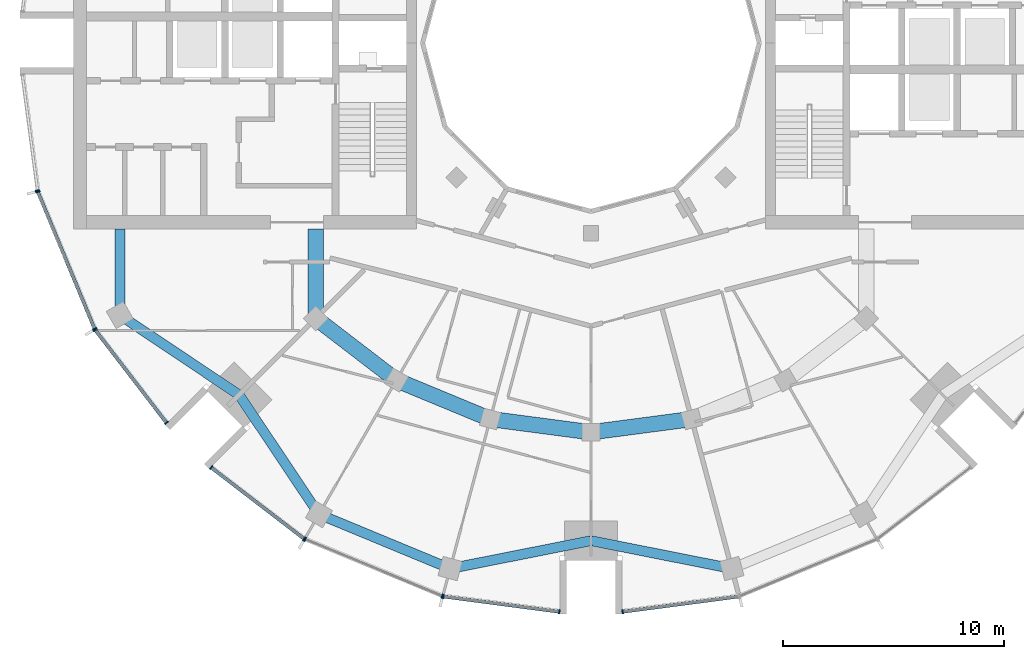
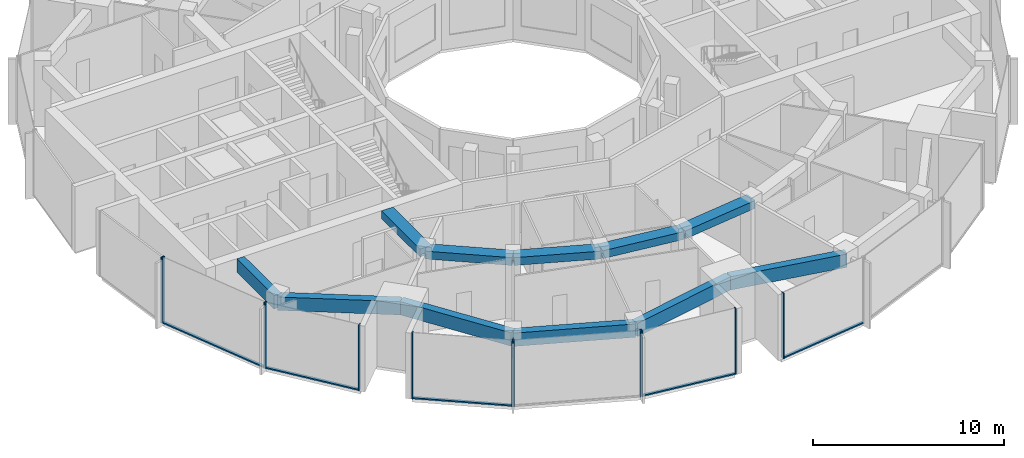
# One storey, part 2 of 15: 17 members, 11 beams, 7 elements without a shape of their own.
"""IFC4 building model written with IfcOpenShell, lengths in metres."""

from ifc_helpers import new_model, si_unit, direction, frame, origin, origin_2d, place, context, subcontext, project, spatial, rectangle, extrude, material, layer, layer_set, material_profile, profile_set, type_object, element, aggregate, save


model = new_model("IFC4")

# Units and contexts
model_context = context("Model", 3, precision=1e-05, world=origin(), true_north=direction((0.0, 1.0)))
body_context = subcontext(model_context, "Body", "Model", "MODEL_VIEW")
ifc_project = project(units=[si_unit("LENGTHUNIT", "METRE"), si_unit("AREAUNIT", "SQUARE_METRE"), si_unit("VOLUMEUNIT", "CUBIC_METRE"), si_unit("PLANEANGLEUNIT", "RADIAN"), si_unit("MASSUNIT", "GRAM", prefix="KILO")], contexts=[model_context])

# Site, building, storey
site_placement = place(None, origin())
site = spatial("IfcSite", under=ifc_project, at=site_placement, CompositionType="ELEMENT")
building_placement = place(site_placement, origin())
building = spatial("IfcBuilding", under=site, at=building_placement, Name="Torre Brocal", CompositionType="ELEMENT")
storey_placement = place(building_placement, frame((0.0, 0.0, 258.300048828125)))
storey = spatial("IfcBuildingStorey", under=building, at=storey_placement, Name="L59", CompositionType="ELEMENT", Elevation=258.300048828125)

# Curtain wall, members
ifc_material_1 = material(Name="Aluminium and glass", Category="aluminium")
ifc_layer_1 = layer(ifc_material_1, 0.199951171875)
ifc_layer_set_1 = layer_set([ifc_layer_1], Name="Aluminium and glass")
curtain_wall_type_1 = type_object("IfcCurtainWallType", Name="CW-1 CURTAIN WALL 4200 HIGH", PredefinedType="NOTDEFINED", material=ifc_layer_set_1)
curtain_wall_1_placement = place(storey_placement, origin())
curtain_wall_1 = element("IfcCurtainWall", 1, at=curtain_wall_1_placement, inside=storey, type_object=curtain_wall_type_1, Name="CW-1 RUN 14", PredefinedType="NOTDEFINED")
ifc_material_2 = material(Name="Aluminium, dark anodised", Category="aluminium")
ifc_material_profile_1 = material_profile(ifc_material_2, rectangle(XDim=0.199951171875, YDim=0.06005859375, at=origin_2d()), Name="CW-1 MULLION 60X200")
ifc_profile_set_1 = profile_set([ifc_material_profile_1], Name="Aluminium, dark anodised")
member_type_1 = type_object("IfcMemberType", Name="CW-1 MULLION 60X200", PredefinedType="MULLION", material=ifc_profile_set_1)
member_1_placement = place(storey_placement, frame((54.994873046875, 68.26904296875, 0.0), z_axis=(0.0, 0.0, 1.0), x_axis=(0.923879532525, 0.382683432333, 0.0)))
member_1 = element("IfcMember", 2, at=member_1_placement, type_object=member_type_1, Name="CW1-5 mullion 1", PredefinedType="MULLION", context=body_context, shape_type="SweptSolid", body=[
    extrude(rectangle(XDim=0.199951171875, YDim=0.06005859375, at=origin_2d()), origin(), (0.0, 0.0, 1.0), 4.199951171875),
])
member_2_placement = place(storey_placement, frame((57.559326171875, 62.078125, 0.0), z_axis=(0.0, 0.0, 1.0), x_axis=(0.923879532525, 0.382683432333, 0.0)))
member_2 = element("IfcMember", 3, at=member_2_placement, type_object=member_type_1, Name="CW1-5 mullion 2", PredefinedType="MULLION", context=body_context, shape_type="SweptSolid", body=[
    extrude(rectangle(XDim=0.199951171875, YDim=0.06005859375, at=origin_2d()), origin(), (0.0, 0.0, 1.0), 4.199951171875),
])

curtain_wall_2_placement = place(storey_placement, origin())
curtain_wall_2 = element("IfcCurtainWall", 4, at=curtain_wall_2_placement, inside=storey, type_object=curtain_wall_type_1, Name="CW-1 RUN 15", PredefinedType="NOTDEFINED")
member_3_placement = place(storey_placement, frame((57.5888671875, 62.026611328125, 0.0), z_axis=(0.0, 0.0, 1.0), x_axis=(0.793353340259, 0.60876142905, 0.0)))
member_3 = element("IfcMember", 5, at=member_3_placement, type_object=member_type_1, Name="CW1-5 mullion 1", PredefinedType="MULLION", context=body_context, shape_type="SweptSolid", body=[
    extrude(rectangle(XDim=0.199951171875, YDim=0.06005859375, at=origin_2d()), origin(), (0.0, 0.0, 1.0), 4.199951171875),
])
member_4_placement = place(storey_placement, frame((60.80859375, 57.83056640625, 0.0), z_axis=(0.0, 0.0, 1.0), x_axis=(0.793353340259, 0.60876142905, 0.0)))
member_4 = element("IfcMember", 6, at=member_4_placement, type_object=member_type_1, Name="CW1-5 mullion 2", PredefinedType="MULLION", context=body_context, shape_type="SweptSolid", body=[
    extrude(rectangle(XDim=0.199951171875, YDim=0.06005859375, at=origin_2d()), origin(), (0.0, 0.0, 1.0), 4.199951171875),
])

curtain_wall_3_placement = place(storey_placement, origin())
curtain_wall_3 = element("IfcCurtainWall", 7, at=curtain_wall_3_placement, inside=storey, type_object=curtain_wall_type_1, Name="CW-1 RUN 16", PredefinedType="NOTDEFINED")
member_5_placement = place(storey_placement, frame((62.83056640625, 55.80859375, 0.0), z_axis=(0.0, 0.0, 1.0), x_axis=(0.60876142905, 0.793353340259, 0.0)))
member_5 = element("IfcMember", 8, at=member_5_placement, type_object=member_type_1, Name="CW1-5 mullion 1", PredefinedType="MULLION", context=body_context, shape_type="SweptSolid", body=[
    extrude(rectangle(XDim=0.199951171875, YDim=0.06005859375, at=origin_2d()), origin(), (0.0, 0.0, 1.0), 4.199951171875),
])
member_6_placement = place(storey_placement, frame((67.026611328125, 52.5888671875, 0.0), z_axis=(0.0, 0.0, 1.0), x_axis=(0.60876142905, 0.793353340259, 0.0)))
member_6 = element("IfcMember", 9, at=member_6_placement, type_object=member_type_1, Name="CW1-5 mullion 2", PredefinedType="MULLION", context=body_context, shape_type="SweptSolid", body=[
    extrude(rectangle(XDim=0.199951171875, YDim=0.06005859375, at=origin_2d()), origin(), (0.0, 0.0, 1.0), 4.199951171875),
])

curtain_wall_4_placement = place(storey_placement, origin())
curtain_wall_4 = element("IfcCurtainWall", 10, at=curtain_wall_4_placement, inside=storey, type_object=curtain_wall_type_1, Name="CW-1 RUN 17", PredefinedType="NOTDEFINED")
member_7_placement = place(storey_placement, frame((67.078125, 52.559326171875, 0.0), z_axis=(0.0, 0.0, 1.0), x_axis=(0.382683432333, 0.923879532525, 0.0)))
member_7 = element("IfcMember", 11, at=member_7_placement, type_object=member_type_1, Name="CW1-5 mullion 1", PredefinedType="MULLION", context=body_context, shape_type="SweptSolid", body=[
    extrude(rectangle(XDim=0.199951171875, YDim=0.06005859375, at=origin_2d()), origin(), (0.0, 0.0, 1.0), 4.199951171875),
])
member_8_placement = place(storey_placement, frame((73.26904296875, 49.994873046875, 0.0), z_axis=(0.0, 0.0, 1.0), x_axis=(0.382683432333, 0.923879532525, 0.0)))
member_8 = element("IfcMember", 12, at=member_8_placement, type_object=member_type_1, Name="CW1-5 mullion 2", PredefinedType="MULLION", context=body_context, shape_type="SweptSolid", body=[
    extrude(rectangle(XDim=0.199951171875, YDim=0.06005859375, at=origin_2d()), origin(), (0.0, 0.0, 1.0), 4.199951171875),
])
aggregate(curtain_wall_4, [member_7, member_8])

curtain_wall_5_placement = place(storey_placement, origin())
curtain_wall_5 = element("IfcCurtainWall", 13, at=curtain_wall_5_placement, inside=storey, type_object=curtain_wall_type_1, Name="CW-1 RUN 18", PredefinedType="NOTDEFINED")
member_9_placement = place(storey_placement, frame((73.32666015625, 49.9794921875, 0.0), z_axis=(0.0, 0.0, 1.0), x_axis=(0.13052619222, 0.991444861374, 0.0)))
member_9 = element("IfcMember", 14, at=member_9_placement, type_object=member_type_1, Name="CW1-5 mullion 1", PredefinedType="MULLION", context=body_context, shape_type="SweptSolid", body=[
    extrude(rectangle(XDim=0.199951171875, YDim=0.06005859375, at=origin_2d()), origin(), (0.0, 0.0, 1.0), 4.199951171875),
])
member_10_placement = place(storey_placement, frame((78.5703125, 49.2890625, 0.0), z_axis=(0.0, 0.0, 1.0), x_axis=(0.13052619222, 0.991444861374, 0.0)))
member_10 = element("IfcMember", 15, at=member_10_placement, type_object=member_type_1, Name="CW1-5 mullion 2", PredefinedType="MULLION", context=body_context, shape_type="SweptSolid", body=[
    extrude(rectangle(XDim=0.199951171875, YDim=0.06005859375, at=origin_2d()), origin(), (0.0, 0.0, 1.0), 4.199951171875),
])

# Curtain wall, member
curtain_wall_6_placement = place(storey_placement, origin())
curtain_wall_6 = element("IfcCurtainWall", 16, at=curtain_wall_6_placement, inside=storey, type_object=curtain_wall_type_1, Name="CW-1 RUN 19", PredefinedType="NOTDEFINED")
member_11_placement = place(storey_placement, frame((81.4296875, 49.2890625, 0.0), z_axis=(0.0, 0.0, 1.0), x_axis=(-0.13052619222, 0.991444861374, 0.0)))
member_11 = element("IfcMember", 17, at=member_11_placement, type_object=member_type_1, Name="CW1-5 mullion 1", PredefinedType="MULLION", context=body_context, shape_type="SweptSolid", body=[
    extrude(rectangle(XDim=0.199951171875, YDim=0.06005859375, at=origin_2d()), origin(), (0.0, 0.0, 1.0), 4.199951171875),
])

# Member
ifc_material_3 = material(Name="Aluminium, dark anodised", Category="aluminium")
ifc_material_profile_2 = material_profile(ifc_material_3, rectangle(XDim=0.159912109375, YDim=0.080078125, at=origin_2d()), Name="CW-1 TRANSOM 160X80")
ifc_profile_set_2 = profile_set([ifc_material_profile_2], Name="Aluminium, dark anodised")
member_type_2 = type_object("IfcMemberType", Name="CW-1 TRANSOM 160X80", PredefinedType="USERDEFINED", material=ifc_profile_set_2)
member_12_placement = place(storey_placement, frame((55.00634765625, 68.241455078125, 0.0400390625), z_axis=(0.38266457234, -0.923887344364, 0.0), x_axis=(0.923887344364, 0.38266457234, 0.0)))
member_12 = element("IfcMember", 18, at=member_12_placement, type_object=member_type_2, Name="CW1-5 transom 1.1", ObjectType="TRANSOM", PredefinedType="USERDEFINED", context=body_context, shape_type="SweptSolid", body=[
    extrude(rectangle(XDim=0.159912109375, YDim=0.080078125, at=origin_2d()), origin(), (0.0, 0.0, 1.0), 6.640869140625),
])

aggregate(curtain_wall_1, [member_1, member_2, member_12])

member_13_placement = place(storey_placement, frame((57.607177734375, 62.0029296875, 0.0400390625), z_axis=(0.60874908096, -0.79336281513, 0.0), x_axis=(0.79336281513, 0.60874908096, 0.0)))
member_13 = element("IfcMember", 19, at=member_13_placement, type_object=member_type_2, Name="CW1-5 transom 1.1", ObjectType="TRANSOM", PredefinedType="USERDEFINED", context=body_context, shape_type="SweptSolid", body=[
    extrude(rectangle(XDim=0.159912109375, YDim=0.080078125, at=origin_2d()), origin(), (0.0, 0.0, 1.0), 5.22900390625),
])

aggregate(curtain_wall_2, [member_3, member_4, member_13])

member_14_placement = place(storey_placement, frame((62.8544921875, 55.790283203125, 0.0400390625), z_axis=(0.79336281513, -0.60874908096, 0.0), x_axis=(0.60874908096, 0.79336281513, 0.0)))
member_14 = element("IfcMember", 20, at=member_14_placement, type_object=member_type_2, Name="CW1-5 transom 1.1", ObjectType="TRANSOM", PredefinedType="USERDEFINED", context=body_context, shape_type="SweptSolid", body=[
    extrude(rectangle(XDim=0.159912109375, YDim=0.080078125, at=origin_2d()), origin(), (0.0, 0.0, 1.0), 5.22900390625),
])

aggregate(curtain_wall_3, [member_5, member_6, member_14])

member_15_placement = place(storey_placement, frame((73.356201171875, 49.9755859375, 0.0400390625), z_axis=(0.991442690863, -0.130542677827, 0.0), x_axis=(0.130542677827, 0.991442690863, 0.0)))
member_15 = element("IfcMember", 21, at=member_15_placement, type_object=member_type_2, Name="CW1-5 transom 1.1", ObjectType="TRANSOM", PredefinedType="USERDEFINED", context=body_context, shape_type="SweptSolid", body=[
    extrude(rectangle(XDim=0.159912109375, YDim=0.080078125, at=origin_2d()), origin(), (0.0, 0.0, 1.0), 5.22900390625),
])

aggregate(curtain_wall_5, [member_9, member_10, member_15])

member_16_placement = place(storey_placement, frame((81.45947265625, 49.29296875, 0.0400390625), z_axis=(0.991442690863, 0.130542677827, 0.0), x_axis=(-0.130542677827, 0.991442690863, 0.0)))
member_16 = element("IfcMember", 22, at=member_16_placement, type_object=member_type_2, Name="CW1-5 transom 1.1", ObjectType="TRANSOM", PredefinedType="USERDEFINED", context=body_context, shape_type="SweptSolid", body=[
    extrude(rectangle(XDim=0.159912109375, YDim=0.080078125, at=origin_2d()), origin(), (0.0, 0.0, 1.0), 5.22900390625),
])

aggregate(curtain_wall_6, [member_11, member_16])

# Curtain wall, member
ifc_material_4 = material(Name="Aluminium and glass", Category="aluminium")
ifc_layer_2 = layer(ifc_material_4, 0.199951171875)
ifc_layer_set_2 = layer_set([ifc_layer_2], Name="Aluminium and glass")
curtain_wall_type_2 = type_object("IfcCurtainWallType", Name="CW-1B CURTAIN WALL 4200 HIGH", PredefinedType="NOTDEFINED", material=ifc_layer_set_2)
curtain_wall_7_placement = place(storey_placement, origin())
curtain_wall_7 = element("IfcCurtainWall", 23, at=curtain_wall_7_placement, inside=storey, type_object=curtain_wall_type_2, Name="CW-1B RUN 13", PredefinedType="NOTDEFINED")
ifc_material_5 = material(Name="Aluminium, dark anodised", Category="aluminium")
ifc_material_profile_3 = material_profile(ifc_material_5, rectangle(XDim=0.199951171875, YDim=0.06005859375, at=origin_2d()), Name="CW-1B MULLION 60X200")
ifc_profile_set_3 = profile_set([ifc_material_profile_3], Name="Aluminium, dark anodised")
member_type_3 = type_object("IfcMemberType", Name="CW-1B MULLION 60X200", PredefinedType="MULLION", material=ifc_profile_set_3)
member_17_placement = place(storey_placement, frame((54.9794921875, 68.32666015625, 0.0), z_axis=(0.0, 0.0, 1.0), x_axis=(0.991444861374, 0.13052619222, 0.0)))
member_17 = element("IfcMember", 24, at=member_17_placement, type_object=member_type_3, Name="CW1B-5 mullion 2", PredefinedType="MULLION", context=body_context, shape_type="SweptSolid", body=[
    extrude(rectangle(XDim=0.199951171875, YDim=0.06005859375, at=origin_2d()), origin(), (0.0, 0.0, 1.0), 4.199951171875),
])
aggregate(curtain_wall_7, [member_17])

# Beams
ifc_material_6 = material(Name="Concrete C50", Category="concrete")
ifc_material_profile_4 = material_profile(ifc_material_6, rectangle(XDim=0.699951171875, YDim=0.5, at=origin_2d()), Name="RC 700X500")
ifc_profile_set_4 = profile_set([ifc_material_profile_4], Name="Concrete C50")
beam_type_1 = type_object("IfcBeamType", Name="RC BEAM 700X500 C50 TOP 3880", PredefinedType="BEAM", material=ifc_profile_set_4)
beam_1_placement = place(storey_placement, frame((67.554931640625, 62.554931640625, 3.6298828125), z_axis=(0.0, 1.0, 0.0), x_axis=(-1.0, 0.0, 0.0)))
element("IfcBeam", 25, at=beam_1_placement, inside=storey, type_object=beam_type_1, Name="Beam BT-37", PredefinedType="BEAM", context=body_context, shape_type="SweptSolid", body=[
    extrude(rectangle(XDim=0.699951171875, YDim=0.5, at=origin_2d()), origin(), (0.0, 0.0, 1.0), 4.045166015625),
])
beam_2_placement = place(storey_placement, frame((67.554931640625, 62.554931640625, 3.6298828125), z_axis=(0.793358265959, -0.6087550097, 0.0), x_axis=(0.6087550097, 0.793358265959, 0.0)))
element("IfcBeam", 26, at=beam_2_placement, inside=storey, type_object=beam_type_1, Name="Beam BT-37", PredefinedType="BEAM", context=body_context, shape_type="SweptSolid", body=[
    extrude(rectangle(XDim=0.699951171875, YDim=0.5, at=origin_2d()), origin(), (0.0, 0.0, 1.0), 4.594482421875),
])
beam_3_placement = place(storey_placement, frame((71.199951171875, 59.758056640625, 3.6298828125), z_axis=(0.923878240166, -0.382686552348, 0.0), x_axis=(0.382686552348, 0.923878240166, 0.0)))
element("IfcBeam", 27, at=beam_3_placement, inside=storey, type_object=beam_type_1, Name="Beam BT-37", PredefinedType="BEAM", context=body_context, shape_type="SweptSolid", body=[
    extrude(rectangle(XDim=0.699951171875, YDim=0.5, at=origin_2d()), origin(), (0.0, 0.0, 1.0), 4.5947265625),
])
for number, where, z_axis, x_axis, name in (
    (28, (75.44482421875, 57.999755859375, 3.6298828125), (0.991440544449, -0.130558978332, 0.0), (0.130558978332, 0.991440544449, 0.0), "Beam BT-37"),
    (29, (80.0, 57.39990234375, 3.6298828125), (0.991440544449, 0.130558978332, 0.0), (-0.130558978332, 0.991440544449, 0.0), "Beam BT-37"),
):
    element("IfcBeam", number, at=place(storey_placement, frame(where, z_axis=z_axis, x_axis=x_axis)), inside=storey, type_object=beam_type_1, Name=name, PredefinedType="BEAM", context=body_context, shape_type="SweptSolid", body=[
        extrude(rectangle(XDim=0.699951171875, YDim=0.5, at=origin_2d()), origin(), (0.0, 0.0, 1.0), 4.594482421875),
    ])
ifc_material_7 = material(Name="Concrete C50", Category="concrete")
ifc_material_profile_5 = material_profile(ifc_material_7, rectangle(XDim=0.449951171875, YDim=0.85009765625, at=origin_2d()), Name="RC 450X850")
ifc_profile_set_5 = profile_set([ifc_material_profile_5], Name="Concrete C50")
beam_type_2 = type_object("IfcBeamType", Name="RC SPANDREL BEAM 450X850 C50 TOP 3880", PredefinedType="SPANDREL", material=ifc_profile_set_5)
beam_4_placement = place(storey_placement, frame((58.69580078125, 62.699951171875, 3.454833984375), z_axis=(0.0, 1.0, 0.0), x_axis=(-1.0, 0.0, 0.0)))
element("IfcBeam", 30, at=beam_4_placement, inside=storey, type_object=beam_type_2, Name="Beam BT-38", PredefinedType="SPANDREL", context=body_context, shape_type="SweptSolid", body=[
    extrude(rectangle(XDim=0.449951171875, YDim=0.85009765625, at=origin_2d()), origin(), (0.0, 0.0, 1.0), 3.900146484375),
])
for number, where, z_axis, x_axis, name in (
    (31, (58.69580078125, 62.699951171875, 3.454833984375), (0.831076844476, -0.556157602282, 0.0), (0.556157602282, 0.831076844476, 0.0), "Beam BT-38"),
    (32, (64.090087890625, 59.090087890625, 3.454833984375), (0.556157602282, -0.831076844476, 0.0), (0.831076844476, 0.556157602282, 0.0), "Beam BT-38"),
):
    element("IfcBeam", number, at=place(storey_placement, frame(where, z_axis=z_axis, x_axis=x_axis)), inside=storey, type_object=beam_type_2, Name=name, PredefinedType="SPANDREL", context=body_context, shape_type="SweptSolid", body=[
        extrude(rectangle(XDim=0.449951171875, YDim=0.85009765625, at=origin_2d()), origin(), (0.0, 0.0, 1.0), 6.49072265625),
    ])
beam_5_placement = place(storey_placement, frame((67.699951171875, 53.69580078125, 3.454833984375), z_axis=(0.923882462513, -0.382676358639, 0.0), x_axis=(0.382676358639, 0.923882462513, 0.0)))
element("IfcBeam", 33, at=beam_5_placement, inside=storey, type_object=beam_type_2, Name="Beam BT-38", PredefinedType="SPANDREL", context=body_context, shape_type="SweptSolid", body=[
    extrude(rectangle(XDim=0.449951171875, YDim=0.85009765625, at=origin_2d()), origin(), (0.0, 0.0, 1.0), 6.421875),
])
for number, where, z_axis, x_axis, name in (
    (34, (73.633056640625, 51.23828125, 3.454833984375), (0.980924907484, 0.194387051723, 0.0), (-0.194387051723, 0.980924907484, 0.0), "Beam BT-38"),
    (35, (80.0, 52.5, 3.454833984375), (0.980924907484, -0.194387051723, 0.0), (0.194387051723, 0.980924907484, 0.0), "Beam BT-38"),
):
    element("IfcBeam", number, at=place(storey_placement, frame(where, z_axis=z_axis, x_axis=x_axis)), inside=storey, type_object=beam_type_2, Name=name, PredefinedType="SPANDREL", context=body_context, shape_type="SweptSolid", body=[
        extrude(rectangle(XDim=0.449951171875, YDim=0.85009765625, at=origin_2d()), origin(), (0.0, 0.0, 1.0), 6.49072265625),
    ])

save(model, "model.ifc")
